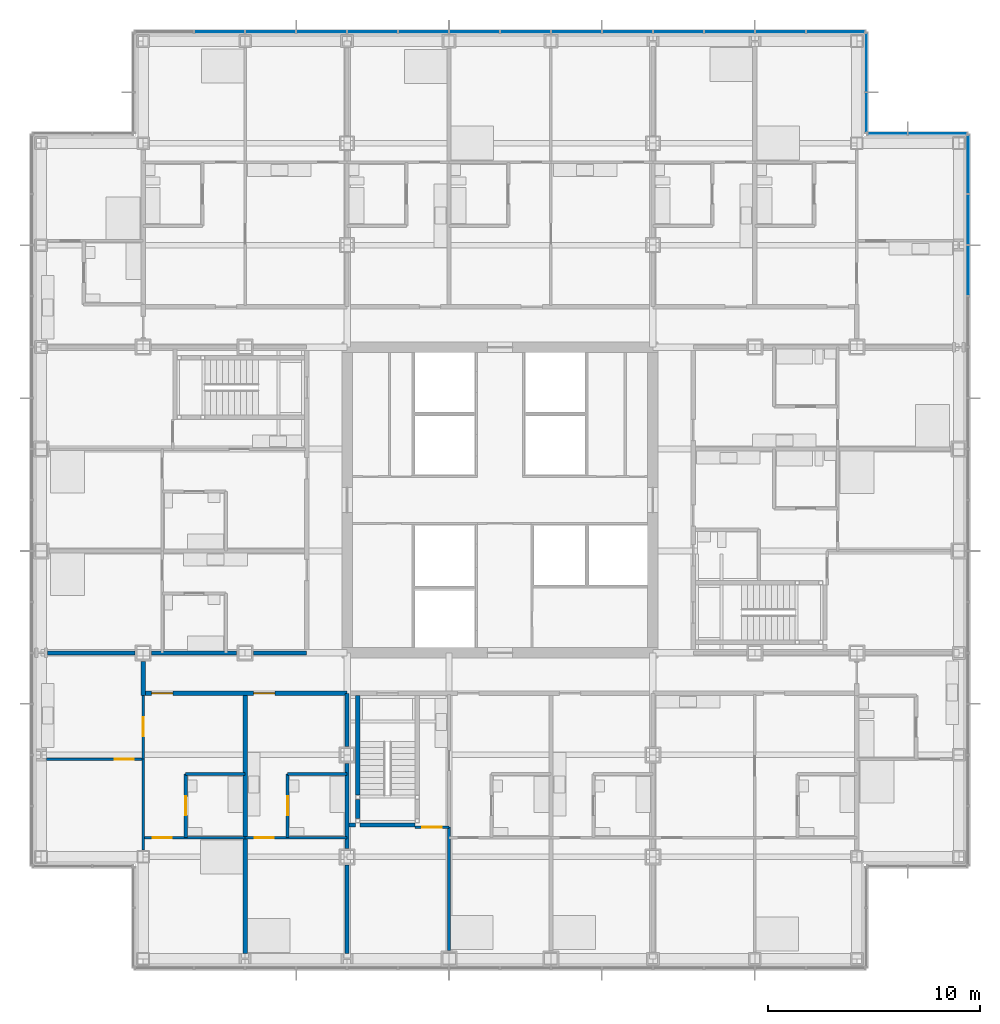
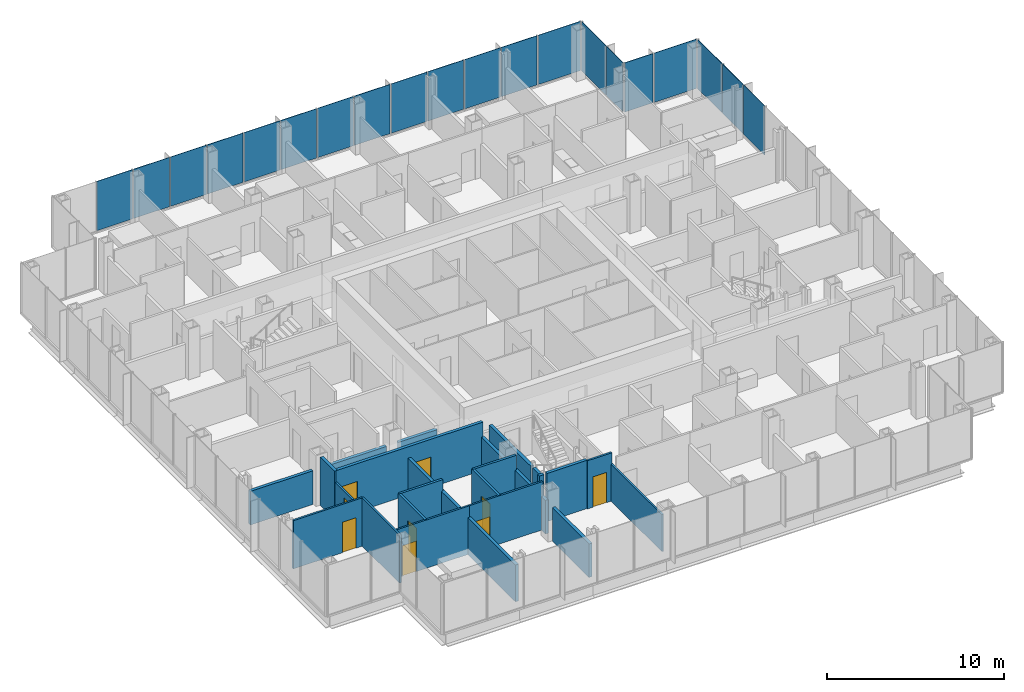
# One storey, part 13 of 21: 24 walls, 20 plates, 9 doors, 9 openings, 4 elements without a shape of their own.
"""IFC4 building model written with IfcOpenShell, lengths in metres."""

import ifcopenshell
import ifcopenshell.guid

model = None  # the IFC model being written
_history = None  # IfcOwnerHistory: only IFC2X3 demands one
_inside = {}  # id of a spatial element -> (the spatial element, [elements in it])
_under = {}  # id of a project, library or spatial element -> (it, [spatial elements below it])
_declared = {}  # id of a project -> (the project, [libraries it declares])
_typed = {}  # id of a type object -> (the type object, [elements of that type])
_made_of = {}  # id of a material, layer set ... -> (it, [elements and type objects made of it])


def new_model(schema):
    """Start an empty IFC model of exactly this schema.

    Asked for "IFC4X3", IfcOpenShell would pick the latest addendum, in which some entities
    have other attributes; the version numbers below select the first issue.
    IFC2X3 requires an IfcOwnerHistory on every rooted entity: one is made here for all.
    """
    global model, _history
    if schema == "IFC4X3":
        model = ifcopenshell.file(schema_version=(4, 3, 0, 0))
    else:
        model = ifcopenshell.file(schema=schema)
    _inside.clear()
    _under.clear()
    _declared.clear()
    _typed.clear()
    _made_of.clear()
    _history = None
    if model.schema == "IFC2X3":
        org = make("IfcOrganization", Name="unknown")
        user = make(
            "IfcPersonAndOrganization",
            ThePerson=make("IfcPerson", FamilyName="unknown"),
            TheOrganization=org,
        )
        app = make(
            "IfcApplication",
            ApplicationDeveloper=org,
            Version="unknown",
            ApplicationFullName="unknown",
            ApplicationIdentifier="unknown",
        )
        _history = make(
            "IfcOwnerHistory",
            OwningUser=user,
            OwningApplication=app,
            ChangeAction="ADDED",
            CreationDate=0,
        )
    return model


def make(cls, **values):
    """One entity of the class cls with the attributes given. An attribute that is None is left unset."""
    return model.create_entity(
        cls, **{name: value for name, value in values.items() if value is not None}
    )


def rooted(cls, **values):
    """An entity with a GlobalId (a new one), such as an element, a storey or a relation."""
    return make(cls, GlobalId=ifcopenshell.guid.new(), OwnerHistory=_history, **values)


def si_unit(unit_type, name, prefix=None):
    """IfcSIUnit, for example si_unit("LENGTHUNIT", "METRE", prefix="MILLI")."""
    return make("IfcSIUnit", UnitType=unit_type, Prefix=prefix, Name=name)


def assignment(units):
    """IfcUnitAssignment: the units of a project."""
    return None if units is None else make("IfcUnitAssignment", Units=units)


def point(xyz):
    """IfcCartesianPoint."""
    return None if xyz is None else make("IfcCartesianPoint", Coordinates=xyz)


def direction(xyz):
    """IfcDirection."""
    return None if xyz is None else make("IfcDirection", DirectionRatios=xyz)


def frame(location, z_axis=None, x_axis=None):
    """IfcAxis2Placement3D, a coordinate frame: its origin and axes. An axis left out is left unset."""
    return make(
        "IfcAxis2Placement3D",
        Location=point(location),
        Axis=direction(z_axis),
        RefDirection=direction(x_axis),
    )


def frame_2d(location, x_axis=None):
    """IfcAxis2Placement2D, a coordinate frame in the plane: its origin and x axis."""
    return make(
        "IfcAxis2Placement2D", Location=point(location), RefDirection=direction(x_axis)
    )


def origin():
    """The frame at (0, 0, 0) with its axes left unset."""
    return frame((0.0, 0.0, 0.0))


def origin_2d():
    """The frame at (0, 0) in the plane with its x axis left unset."""
    return frame_2d((0.0, 0.0))


def place(relative_to, where):
    """IfcLocalPlacement: puts the frame where relative to a parent placement (None: the world)."""
    return make(
        "IfcLocalPlacement", PlacementRelTo=relative_to, RelativePlacement=where
    )


def context(
    kind, dimensions, precision=None, world=None, true_north=None, identifier=None
):
    """IfcGeometricRepresentationContext, for example the 3D "Model" context."""
    return make(
        "IfcGeometricRepresentationContext",
        ContextIdentifier=identifier,
        ContextType=kind,
        CoordinateSpaceDimension=dimensions,
        Precision=precision,
        WorldCoordinateSystem=world,
        TrueNorth=true_north,
    )


def subcontext(parent, identifier, kind, view, scale=None):
    """IfcGeometricRepresentationSubContext, for example "Body" below "Model"."""
    return make(
        "IfcGeometricRepresentationSubContext",
        ContextIdentifier=identifier,
        ContextType=kind,
        ParentContext=parent,
        TargetScale=scale,
        TargetView=view,
    )


def project(units=None, contexts=None):
    """IfcProject with its units and contexts."""
    return rooted(
        "IfcProject",
        Name="project",
        RepresentationContexts=contexts,
        UnitsInContext=assignment(units),
    )


def spatial(cls, under=None, at=None, **own):
    """A site, building, storey or space (cls), placed at a placement, below another one or the project."""
    s = rooted(cls, ObjectPlacement=at, **own)
    if under is not None:
        _under.setdefault(under.id(), (under, []))[1].append(s)
    return s


def profile(cls, at=None, kind="AREA", **sizes):
    """A parametric profile (cls). Its sizes go by their IFC names, for example OverallWidth=200.0."""
    return make(cls, ProfileType=kind, Position=at, **sizes)


def rectangle(**sizes):
    """IfcRectangleProfileDef."""
    return profile("IfcRectangleProfileDef", **sizes)


def extrude(swept, where, along, depth):
    """IfcExtrudedAreaSolid: the profile swept, set in the frame where, extruded along a direction by depth."""
    return make(
        "IfcExtrudedAreaSolid",
        SweptArea=swept,
        Position=where,
        ExtrudedDirection=direction(along),
        Depth=depth,
    )


def shape(context_of_items, identifier, shape_type, items):
    """IfcShapeRepresentation: the items that make up one representation, for example the "Body"."""
    return make(
        "IfcShapeRepresentation",
        ContextOfItems=context_of_items,
        RepresentationIdentifier=identifier,
        RepresentationType=shape_type,
        Items=items,
    )


def material(Name=None, Category=None):
    """IfcMaterial."""
    return make("IfcMaterial", Name=Name, Category=Category)


def layer(
    of_material, thickness, ventilated=None, Name=None, Category=None, Priority=None
):
    """IfcMaterialLayer: one layer of a wall or slab, of a material (None: an air gap)."""
    return make(
        "IfcMaterialLayer",
        Material=of_material,
        LayerThickness=thickness,
        IsVentilated=ventilated,
        Name=Name,
        Category=Category,
        Priority=Priority,
    )


def layer_set(layers, Name=None):
    """IfcMaterialLayerSet."""
    return make("IfcMaterialLayerSet", MaterialLayers=layers, LayerSetName=Name)


def made_of(thing, what):
    """Note that an element or type object is made of a material, layer set ...; save() writes the relation."""
    if what is not None:
        _made_of.setdefault(what.id(), (what, []))[1].append(thing)
    return thing


def type_object(cls, material=None, **own):
    """A type object (cls), such as IfcWallType, which elements share."""
    return made_of(rooted(cls, **own), material)


def element(
    cls,
    number,
    at=None,
    inside=None,
    cuts=None,
    type_object=None,
    material=None,
    context=None,
    identifier="Body",
    shape_type=None,
    held_by="IfcProductDefinitionShape",
    body=None,
    shapes=None,
    **own,
):
    """One element of the class cls, such as IfcWall. Its Tag is "e" and its number.

    at: its placement. inside: the storey or other place that contains it. cuts: it is an
    opening in that element (IfcRelVoidsElement). A single representation is given by context,
    identifier, shape_type and body (its items); several are given by shapes. held_by: the class
    of the entity that holds the representations. save() writes the other relations.
    """
    e = rooted(cls, Tag="e%d" % number, ObjectPlacement=at, **own)
    if body is not None:
        shapes = [shape(context, identifier, shape_type, body)]
    if shapes is not None:
        e.Representation = make(held_by, Representations=shapes)
    if inside is not None:
        _inside.setdefault(inside.id(), (inside, []))[1].append(e)
    if cuts is not None:
        rooted(
            "IfcRelVoidsElement", RelatingBuildingElement=cuts, RelatedOpeningElement=e
        )
    if type_object is not None:
        _typed.setdefault(type_object.id(), (type_object, []))[1].append(e)
    return made_of(e, material)


def fill(opening, filler):
    """IfcRelFillsElement: the door or window that sits in an opening."""
    return rooted(
        "IfcRelFillsElement",
        RelatingOpeningElement=opening,
        RelatedBuildingElement=filler,
    )


def aggregate(whole, parts):
    """IfcRelAggregates: a whole, such as a stair, and the parts it consists of."""
    return rooted("IfcRelAggregates", RelatingObject=whole, RelatedObjects=parts)


def save(model, path):
    """Write the relations noted so far, then the file.

    IfcRelAggregates (storeys below a building ...), IfcRelContainedInSpatialStructure (elements
    in a storey), IfcRelDefinesByType, IfcRelAssociatesMaterial and IfcRelDeclares: one each for
    every whole, place, type object, material and project.
    """
    for whole, parts in _under.values():
        aggregate(whole, parts)
    for where, things in _inside.values():
        rooted(
            "IfcRelContainedInSpatialStructure",
            RelatedElements=things,
            RelatingStructure=where,
        )
    for kind, things in _typed.values():
        rooted("IfcRelDefinesByType", RelatedObjects=things, RelatingType=kind)
    for what, things in _made_of.values():
        rooted("IfcRelAssociatesMaterial", RelatedObjects=things, RelatingMaterial=what)
    for by, libraries in _declared.values():
        rooted("IfcRelDeclares", RelatingContext=by, RelatedDefinitions=libraries)
    model.write(path)


model = new_model("IFC4")

# Units and contexts
model_context = context("Model", 3, precision=1e-05, world=origin(), true_north=direction((0.0, 1.0)))
body_context = subcontext(model_context, "Body", "Model", "MODEL_VIEW")
ifc_project = project(units=[si_unit("LENGTHUNIT", "METRE"), si_unit("AREAUNIT", "SQUARE_METRE"), si_unit("VOLUMEUNIT", "CUBIC_METRE"), si_unit("PLANEANGLEUNIT", "RADIAN"), si_unit("MASSUNIT", "GRAM", prefix="KILO")], contexts=[model_context])

# Site, building, storey
site_placement = place(None, origin())
site = spatial("IfcSite", under=ifc_project, at=site_placement, CompositionType="ELEMENT")
building_placement = place(site_placement, origin())
building = spatial("IfcBuilding", under=site, at=building_placement, Name="Kvirike Care Tower", CompositionType="ELEMENT")
storey_placement = place(building_placement, frame((0.0, 0.0, 30.5)))
storey = spatial("IfcBuildingStorey", under=building, at=storey_placement, Name="L07", CompositionType="ELEMENT", Elevation=30.5)

# Curtain wall, plates
ifc_material_1 = material(Name="Anodised aluminium stick system", Category="aluminium")
curtain_wall_type = type_object("IfcCurtainWallType", Name="CW-A STICK CURTAIN WALL", PredefinedType="NOTDEFINED", material=ifc_material_1)
curtain_wall_1_placement = place(storey_placement, origin())
curtain_wall_1 = element("IfcCurtainWall", 1, at=curtain_wall_1_placement, inside=storey, type_object=curtain_wall_type, Name="Curtain wall L07 face 7", PredefinedType="NOTDEFINED")
ifc_material_2 = material(Name="Tinted double glazed unit", Category="glass")
ifc_layer_1 = layer(ifc_material_2, 0.031982421875)
ifc_layer_set_1 = layer_set([ifc_layer_1], Name="TINTED VISION PANEL 32")
plate_type = type_object("IfcPlateType", Name="TINTED VISION PANEL 32", PredefinedType="CURTAIN_PANEL", material=ifc_layer_set_1)
plate_1_placement = place(storey_placement, frame((43.64990234375, 46.800048828125, 0.10009765625), z_axis=(0.0, 0.0, 1.0), x_axis=(0.0, 1.0, 0.0)))
plate_1 = element("IfcPlate", 2, at=plate_1_placement, type_object=plate_type, Name="CW-A panel L07 face 7.12", PredefinedType="CURTAIN_PANEL", context=body_context, shape_type="SweptSolid", body=[
    extrude(rectangle(XDim=2.3349609375, YDim=0.031982421875, at=origin_2d()), origin(), (0.0, 0.0, 1.0), 3.39990234375),
])
plate_2_placement = place(storey_placement, frame((43.64990234375, 49.199951171875, 0.10009765625), z_axis=(0.0, 0.0, 1.0), x_axis=(0.0, 1.0, 0.0)))
plate_2 = element("IfcPlate", 3, at=plate_2_placement, type_object=plate_type, Name="CW-A panel L07 face 7.13", PredefinedType="CURTAIN_PANEL", context=body_context, shape_type="SweptSolid", body=[
    extrude(rectangle(XDim=2.3349609375, YDim=0.031982421875, at=origin_2d()), origin(), (0.0, 0.0, 1.0), 3.39990234375),
])
plate_3_placement = place(storey_placement, frame((43.64990234375, 51.808837890625, 0.10009765625), z_axis=(0.0, 0.0, 1.0), x_axis=(0.0, 1.0, 0.0)))
plate_3 = element("IfcPlate", 4, at=plate_3_placement, type_object=plate_type, Name="CW-A panel L07 face 7.14", PredefinedType="CURTAIN_PANEL", context=body_context, shape_type="SweptSolid", body=[
    extrude(rectangle(XDim=2.75244140625, YDim=0.031982421875, at=origin_2d()), origin(), (0.0, 0.0, 1.0), 3.39990234375),
])
aggregate(curtain_wall_1, [plate_1, plate_2, plate_3])

curtain_wall_2_placement = place(storey_placement, origin())
curtain_wall_2 = element("IfcCurtainWall", 5, at=curtain_wall_2_placement, inside=storey, type_object=curtain_wall_type, Name="Curtain wall L07 face 8", PredefinedType="NOTDEFINED")
plate_4_placement = place(storey_placement, frame((42.208740234375, 53.25, 0.10009765625), z_axis=(0.0, 0.0, 1.0), x_axis=(-1.0, 0.0, 0.0)))
plate_4 = element("IfcPlate", 6, at=plate_4_placement, type_object=plate_type, Name="CW-A panel L07 face 8.1", PredefinedType="CURTAIN_PANEL", context=body_context, shape_type="SweptSolid", body=[
    extrude(rectangle(XDim=2.75244140625, YDim=0.031982421875, at=origin_2d()), origin(), (0.0, 0.0, 1.0), 3.39990234375),
])
plate_5_placement = place(storey_placement, frame((39.84130859375, 53.25, 0.10009765625), z_axis=(0.0, 0.0, 1.0), x_axis=(-1.0, 0.0, 0.0)))
plate_5 = element("IfcPlate", 7, at=plate_5_placement, type_object=plate_type, Name="CW-A panel L07 face 8.2", PredefinedType="CURTAIN_PANEL", context=body_context, shape_type="SweptSolid", body=[
    extrude(rectangle(XDim=1.8525390625, YDim=0.031982421875, at=origin_2d()), origin(), (0.0, 0.0, 1.0), 3.39990234375),
])
aggregate(curtain_wall_2, [plate_4, plate_5])

curtain_wall_3_placement = place(storey_placement, origin())
curtain_wall_3 = element("IfcCurtainWall", 8, at=curtain_wall_3_placement, inside=storey, type_object=curtain_wall_type, Name="Curtain wall L07 face 9", PredefinedType="NOTDEFINED")
plate_6_placement = place(storey_placement, frame((38.85009765625, 54.2412109375, 0.10009765625), z_axis=(0.0, 0.0, 1.0), x_axis=(0.0, 1.0, 0.0)))
plate_6 = element("IfcPlate", 9, at=plate_6_placement, type_object=plate_type, Name="CW-A panel L07 face 9.1", PredefinedType="CURTAIN_PANEL", context=body_context, shape_type="SweptSolid", body=[
    extrude(rectangle(XDim=1.8525390625, YDim=0.031982421875, at=origin_2d()), origin(), (0.0, 0.0, 1.0), 3.39990234375),
])
plate_7_placement = place(storey_placement, frame((38.85009765625, 56.608642578125, 0.10009765625), z_axis=(0.0, 0.0, 1.0), x_axis=(0.0, 1.0, 0.0)))
plate_7 = element("IfcPlate", 10, at=plate_7_placement, type_object=plate_type, Name="CW-A panel L07 face 9.2", PredefinedType="CURTAIN_PANEL", context=body_context, shape_type="SweptSolid", body=[
    extrude(rectangle(XDim=2.75244140625, YDim=0.031982421875, at=origin_2d()), origin(), (0.0, 0.0, 1.0), 3.39990234375),
])
aggregate(curtain_wall_3, [plate_6, plate_7])

curtain_wall_4_placement = place(storey_placement, origin())
curtain_wall_4 = element("IfcCurtainWall", 11, at=curtain_wall_4_placement, inside=storey, type_object=curtain_wall_type, Name="Curtain wall L07 face 10", PredefinedType="NOTDEFINED")
plate_8_placement = place(storey_placement, frame((37.40869140625, 58.050048828125, 0.10009765625), z_axis=(0.0, 0.0, 1.0), x_axis=(-1.0, 0.0, 0.0)))
plate_8 = element("IfcPlate", 12, at=plate_8_placement, type_object=plate_type, Name="CW-A panel L07 face 10.1", PredefinedType="CURTAIN_PANEL", context=body_context, shape_type="SweptSolid", body=[
    extrude(rectangle(XDim=2.75244140625, YDim=0.031982421875, at=origin_2d()), origin(), (0.0, 0.0, 1.0), 3.39990234375),
])
plate_9_placement = place(storey_placement, frame((34.800048828125, 58.050048828125, 0.10009765625), z_axis=(0.0, 0.0, 1.0), x_axis=(-1.0, 0.0, 0.0)))
plate_9 = element("IfcPlate", 13, at=plate_9_placement, type_object=plate_type, Name="CW-A panel L07 face 10.2", PredefinedType="CURTAIN_PANEL", context=body_context, shape_type="SweptSolid", body=[
    extrude(rectangle(XDim=2.3349609375, YDim=0.031982421875, at=origin_2d()), origin(), (0.0, 0.0, 1.0), 3.39990234375),
])
plate_10_placement = place(storey_placement, frame((32.39990234375, 58.050048828125, 0.10009765625), z_axis=(0.0, 0.0, 1.0), x_axis=(-1.0, 0.0, 0.0)))
plate_10 = element("IfcPlate", 14, at=plate_10_placement, type_object=plate_type, Name="CW-A panel L07 face 10.3", PredefinedType="CURTAIN_PANEL", context=body_context, shape_type="SweptSolid", body=[
    extrude(rectangle(XDim=2.3349609375, YDim=0.031982421875, at=origin_2d()), origin(), (0.0, 0.0, 1.0), 3.39990234375),
])
plate_11_placement = place(storey_placement, frame((30.0, 58.050048828125, 0.10009765625), z_axis=(0.0, 0.0, 1.0), x_axis=(-1.0, 0.0, 0.0)))
plate_11 = element("IfcPlate", 15, at=plate_11_placement, type_object=plate_type, Name="CW-A panel L07 face 10.4", PredefinedType="CURTAIN_PANEL", context=body_context, shape_type="SweptSolid", body=[
    extrude(rectangle(XDim=2.3349609375, YDim=0.031982421875, at=origin_2d()), origin(), (0.0, 0.0, 1.0), 3.39990234375),
])
plate_12_placement = place(storey_placement, frame((27.60009765625, 58.050048828125, 0.10009765625), z_axis=(0.0, 0.0, 1.0), x_axis=(-1.0, 0.0, 0.0)))
plate_12 = element("IfcPlate", 16, at=plate_12_placement, type_object=plate_type, Name="CW-A panel L07 face 10.5", PredefinedType="CURTAIN_PANEL", context=body_context, shape_type="SweptSolid", body=[
    extrude(rectangle(XDim=2.3349609375, YDim=0.031982421875, at=origin_2d()), origin(), (0.0, 0.0, 1.0), 3.39990234375),
])
plate_13_placement = place(storey_placement, frame((25.199951171875, 58.050048828125, 0.10009765625), z_axis=(0.0, 0.0, 1.0), x_axis=(-1.0, 0.0, 0.0)))
plate_13 = element("IfcPlate", 17, at=plate_13_placement, type_object=plate_type, Name="CW-A panel L07 face 10.6", PredefinedType="CURTAIN_PANEL", context=body_context, shape_type="SweptSolid", body=[
    extrude(rectangle(XDim=2.3349609375, YDim=0.031982421875, at=origin_2d()), origin(), (0.0, 0.0, 1.0), 3.39990234375),
])
plate_14_placement = place(storey_placement, frame((22.800048828125, 58.050048828125, 0.10009765625), z_axis=(0.0, 0.0, 1.0), x_axis=(-1.0, 0.0, 0.0)))
plate_14 = element("IfcPlate", 18, at=plate_14_placement, type_object=plate_type, Name="CW-A panel L07 face 10.7", PredefinedType="CURTAIN_PANEL", context=body_context, shape_type="SweptSolid", body=[
    extrude(rectangle(XDim=2.3349609375, YDim=0.031982421875, at=origin_2d()), origin(), (0.0, 0.0, 1.0), 3.39990234375),
])
plate_15_placement = place(storey_placement, frame((20.39990234375, 58.050048828125, 0.10009765625), z_axis=(0.0, 0.0, 1.0), x_axis=(-1.0, 0.0, 0.0)))
plate_15 = element("IfcPlate", 19, at=plate_15_placement, type_object=plate_type, Name="CW-A panel L07 face 10.8", PredefinedType="CURTAIN_PANEL", context=body_context, shape_type="SweptSolid", body=[
    extrude(rectangle(XDim=2.3349609375, YDim=0.031982421875, at=origin_2d()), origin(), (0.0, 0.0, 1.0), 3.39990234375),
])
plate_16_placement = place(storey_placement, frame((18.0, 58.050048828125, 0.10009765625), z_axis=(0.0, 0.0, 1.0), x_axis=(-1.0, 0.0, 0.0)))
plate_16 = element("IfcPlate", 20, at=plate_16_placement, type_object=plate_type, Name="CW-A panel L07 face 10.9", PredefinedType="CURTAIN_PANEL", context=body_context, shape_type="SweptSolid", body=[
    extrude(rectangle(XDim=2.3349609375, YDim=0.031982421875, at=origin_2d()), origin(), (0.0, 0.0, 1.0), 3.39990234375),
])
plate_17_placement = place(storey_placement, frame((15.60009765625, 58.050048828125, 0.10009765625), z_axis=(0.0, 0.0, 1.0), x_axis=(-1.0, 0.0, 0.0)))
plate_17 = element("IfcPlate", 21, at=plate_17_placement, type_object=plate_type, Name="CW-A panel L07 face 10.10", PredefinedType="CURTAIN_PANEL", context=body_context, shape_type="SweptSolid", body=[
    extrude(rectangle(XDim=2.3349609375, YDim=0.031982421875, at=origin_2d()), origin(), (0.0, 0.0, 1.0), 3.39990234375),
])
plate_18_placement = place(storey_placement, frame((13.199951171875, 58.050048828125, 0.10009765625), z_axis=(0.0, 0.0, 1.0), x_axis=(-1.0, 0.0, 0.0)))
plate_18 = element("IfcPlate", 22, at=plate_18_placement, type_object=plate_type, Name="CW-A panel L07 face 10.11", PredefinedType="CURTAIN_PANEL", context=body_context, shape_type="SweptSolid", body=[
    extrude(rectangle(XDim=2.3349609375, YDim=0.031982421875, at=origin_2d()), origin(), (0.0, 0.0, 1.0), 3.39990234375),
])
plate_19_placement = place(storey_placement, frame((10.800048828125, 58.050048828125, 0.10009765625), z_axis=(0.0, 0.0, 1.0), x_axis=(-1.0, 0.0, 0.0)))
plate_19 = element("IfcPlate", 23, at=plate_19_placement, type_object=plate_type, Name="CW-A panel L07 face 10.12", PredefinedType="CURTAIN_PANEL", context=body_context, shape_type="SweptSolid", body=[
    extrude(rectangle(XDim=2.3349609375, YDim=0.031982421875, at=origin_2d()), origin(), (0.0, 0.0, 1.0), 3.39990234375),
])
plate_20_placement = place(storey_placement, frame((8.39990234375, 58.050048828125, 0.10009765625), z_axis=(0.0, 0.0, 1.0), x_axis=(-1.0, 0.0, 0.0)))
plate_20 = element("IfcPlate", 24, at=plate_20_placement, type_object=plate_type, Name="CW-A panel L07 face 10.13", PredefinedType="CURTAIN_PANEL", context=body_context, shape_type="SweptSolid", body=[
    extrude(rectangle(XDim=2.3349609375, YDim=0.031982421875, at=origin_2d()), origin(), (0.0, 0.0, 1.0), 3.39990234375),
])
aggregate(curtain_wall_4, [plate_8, plate_9, plate_10, plate_11, plate_12, plate_13, plate_14, plate_15, plate_16, plate_17, plate_18, plate_19, plate_20])

# Wall, opening, door
ifc_material_3 = material(Name="Moisture-resistant board partition", Category="gypsum")
ifc_layer_2 = layer(ifc_material_3, 0.14990234375)
ifc_layer_set_2 = layer_set([ifc_layer_2], Name="BATHROOM WALL 150")
wall_type_1 = type_object("IfcWallType", Name="BATHROOM WALL 150", PredefinedType="PARTITIONING", material=ifc_layer_set_2)
wall_1_placement = place(storey_placement, frame((6.800048828125, 20.10009765625, 0.0), z_axis=(0.0, 0.0, 1.0), x_axis=(0.0, 1.0, 0.0)))
wall_1 = element("IfcWall", 25, at=wall_1_placement, inside=storey, type_object=wall_type_1, Name="Bathroom Wall 150 L07", PredefinedType="PARTITIONING", context=body_context, shape_type="SweptSolid", body=[
    extrude(rectangle(XDim=3.0, YDim=0.14990234375, at=frame_2d((1.5, 0.0))), origin(), (0.0, 0.0, 1.0), 3.330078125),
])
opening_1_placement = place(wall_1_placement, frame((1.050048828125, 0.0, 0.0)))
opening_1 = element("IfcOpeningElement", 26, at=opening_1_placement, cuts=wall_1, Name="Opening 07-001", PredefinedType="OPENING", context=body_context, shape_type="SweptSolid", body=[
    extrude(rectangle(XDim=0.89990234375, YDim=2.10009765625, at=frame_2d((0.449951171875, 1.050048828125))), frame((0.0, 0.08544921875, 0.0), z_axis=(0.0, -1.0, 0.0), x_axis=(1.0, 0.0, 0.0)), (0.0, 0.0, 1.0), 0.1708984375),
])
ifc_material_4 = material(Name="Timber door set", Category="wood")
door_type_1 = type_object("IfcDoorType", Name="BATHROOM DOOR 900", OperationType="SINGLE_SWING_RIGHT", PredefinedType="DOOR", material=ifc_material_4)
door_1_placement = place(opening_1_placement, frame((0.89990234375, 0.0, 0.0), z_axis=(0.0, 0.0, 1.0), x_axis=(-1.0, 0.0, 0.0)))
door_1 = element("IfcDoor", 27, at=door_1_placement, inside=storey, type_object=door_type_1, Name="Bathroom door", OperationType="SINGLE_SWING_LEFT", OverallHeight=2.10009765625, OverallWidth=0.89990234375, PredefinedType="DOOR", context=body_context, shape_type="SweptSolid", body=[
    extrude(rectangle(XDim=0.89990234375, YDim=2.10009765625, at=frame_2d((0.449951171875, 1.050048828125))), frame((0.0, 0.02197265625, 0.0), z_axis=(0.0, -1.0, 0.0), x_axis=(1.0, 0.0, 0.0)), (0.0, 0.0, 1.0), 0.0439453125),
])
fill(opening_1, door_1)

# Wall
wall_2_placement = place(storey_placement, frame((6.800048828125, 23.10009765625, 0.0), z_axis=(0.0, 0.0, 1.0), x_axis=(1.0, 0.0, 0.0)))
element("IfcWall", 28, at=wall_2_placement, inside=storey, type_object=wall_type_1, Name="Bathroom Wall 150 L07", PredefinedType="PARTITIONING", context=body_context, shape_type="SweptSolid", body=[
    extrude(rectangle(XDim=2.800048828125, YDim=0.14990234375, at=frame_2d((1.39990234375, 0.0))), origin(), (0.0, 0.0, 1.0), 3.330078125),
])

# Wall, opening, door
wall_3_placement = place(storey_placement, frame((11.60009765625, 20.10009765625, 0.0), z_axis=(0.0, 0.0, 1.0), x_axis=(0.0, 1.0, 0.0)))
wall_3 = element("IfcWall", 29, at=wall_3_placement, inside=storey, type_object=wall_type_1, Name="Bathroom Wall 150 L07", PredefinedType="PARTITIONING", context=body_context, shape_type="SweptSolid", body=[
    extrude(rectangle(XDim=3.0, YDim=0.14990234375, at=frame_2d((1.5, 0.0))), origin(), (0.0, 0.0, 1.0), 3.330078125),
])
opening_2_placement = place(wall_3_placement, frame((1.050048828125, 0.0, 0.0)))
opening_2 = element("IfcOpeningElement", 30, at=opening_2_placement, cuts=wall_3, Name="Opening 07-005", PredefinedType="OPENING", context=body_context, shape_type="SweptSolid", body=[
    extrude(rectangle(XDim=0.89990234375, YDim=2.10009765625, at=frame_2d((0.449951171875, 1.050048828125))), frame((0.0, 0.08544921875, 0.0), z_axis=(0.0, -1.0, 0.0), x_axis=(1.0, 0.0, 0.0)), (0.0, 0.0, 1.0), 0.1708984375),
])
door_2_placement = place(opening_2_placement, frame((0.89990234375, 0.0, 0.0), z_axis=(0.0, 0.0, 1.0), x_axis=(-1.0, 0.0, 0.0)))
door_2 = element("IfcDoor", 31, at=door_2_placement, inside=storey, type_object=door_type_1, Name="Bathroom door", OperationType="SINGLE_SWING_LEFT", OverallHeight=2.10009765625, OverallWidth=0.89990234375, PredefinedType="DOOR", context=body_context, shape_type="SweptSolid", body=[
    extrude(rectangle(XDim=0.89990234375, YDim=2.10009765625, at=frame_2d((0.449951171875, 1.050048828125))), frame((0.0, 0.02197265625, 0.0), z_axis=(0.0, -1.0, 0.0), x_axis=(1.0, 0.0, 0.0)), (0.0, 0.0, 1.0), 0.0439453125),
])
fill(opening_2, door_2)

# Wall
wall_4_placement = place(storey_placement, frame((11.60009765625, 23.10009765625, 0.0), z_axis=(0.0, 0.0, 1.0), x_axis=(1.0, 0.0, 0.0)))
element("IfcWall", 32, at=wall_4_placement, inside=storey, type_object=wall_type_1, Name="Bathroom Wall 150 L07", PredefinedType="PARTITIONING", context=body_context, shape_type="SweptSolid", body=[
    extrude(rectangle(XDim=2.7998046875, YDim=0.14990234375, at=frame_2d((1.39990234375, 0.0))), origin(), (0.0, 0.0, 1.0), 3.330078125),
])

# Wall, openings, doors
ifc_material_5 = material(Name="Plasterboard corridor wall", Category="gypsum")
ifc_layer_3 = layer(ifc_material_5, 0.199951171875)
ifc_layer_set_3 = layer_set([ifc_layer_3], Name="CORRIDOR WALL 200")
wall_type_2 = type_object("IfcWallType", Name="CORRIDOR WALL 200", PredefinedType="PARTITIONING", material=ifc_layer_set_3)
wall_5_placement = place(storey_placement, frame((4.800048828125, 26.89990234375, 0.0), z_axis=(0.0, 0.0, 1.0), x_axis=(1.0, 0.0, 0.0)))
wall_5 = element("IfcWall", 33, at=wall_5_placement, inside=storey, type_object=wall_type_2, Name="Corridor Wall 200 L07", PredefinedType="PARTITIONING", context=body_context, shape_type="SweptSolid", body=[
    extrude(rectangle(XDim=9.599853515625, YDim=0.199951171875, at=frame_2d((4.7998046875, 0.0))), origin(), (0.0, 0.0, 1.0), 3.330078125),
])
opening_3_placement = place(wall_5_placement, frame((0.39990234375, 0.0, 0.0)))
opening_3 = element("IfcOpeningElement", 34, at=opening_3_placement, cuts=wall_5, Name="Opening 07-007", PredefinedType="OPENING", context=body_context, shape_type="SweptSolid", body=[
    extrude(rectangle(XDim=1.0, YDim=2.10009765625, at=frame_2d((0.5, 1.050048828125))), frame((0.0, 0.110595703125, 0.0), z_axis=(0.0, -1.0, 0.0), x_axis=(1.0, 0.0, 0.0)), (0.0, 0.0, 1.0), 0.220947265625),
])
opening_4_placement = place(wall_5_placement, frame((5.199951171875, 0.0, 0.0)))
opening_4 = element("IfcOpeningElement", 35, at=opening_4_placement, cuts=wall_5, Name="Opening 07-008", PredefinedType="OPENING", context=body_context, shape_type="SweptSolid", body=[
    extrude(rectangle(XDim=1.0, YDim=2.10009765625, at=frame_2d((0.5, 1.050048828125))), frame((0.0, 0.110595703125, 0.0), z_axis=(0.0, -1.0, 0.0), x_axis=(1.0, 0.0, 0.0)), (0.0, 0.0, 1.0), 0.220947265625),
])
ifc_material_6 = material(Name="Timber door set", Category="wood")
door_type_2 = type_object("IfcDoorType", Name="FLAT ENTRANCE DOOR 1000", OperationType="SINGLE_SWING_LEFT", PredefinedType="DOOR", material=ifc_material_6)
door_3_placement = place(opening_3_placement, frame((1.0, 0.0, 0.0), z_axis=(0.0, 0.0, 1.0), x_axis=(-1.0, 0.0, 0.0)))
door_3 = element("IfcDoor", 36, at=door_3_placement, inside=storey, type_object=door_type_2, Name="One-bedroom apartment entrance", OperationType="SINGLE_SWING_LEFT", OverallHeight=2.10009765625, OverallWidth=1.0, PredefinedType="DOOR", context=body_context, shape_type="SweptSolid", body=[
    extrude(rectangle(XDim=1.0, YDim=2.10009765625, at=frame_2d((0.5, 1.050048828125))), frame((0.0, 0.02685546875, 0.0), z_axis=(0.0, -1.0, 0.0), x_axis=(1.0, 0.0, 0.0)), (0.0, 0.0, 1.0), 0.053955078125),
])
fill(opening_3, door_3)
door_4_placement = place(opening_4_placement, frame((1.0, 0.0, 0.0), z_axis=(0.0, 0.0, 1.0), x_axis=(-1.0, 0.0, 0.0)))
door_4 = element("IfcDoor", 37, at=door_4_placement, inside=storey, type_object=door_type_2, Name="Studio apartment entrance", OperationType="SINGLE_SWING_LEFT", OverallHeight=2.10009765625, OverallWidth=1.0, PredefinedType="DOOR", context=body_context, shape_type="SweptSolid", body=[
    extrude(rectangle(XDim=1.0, YDim=2.10009765625, at=frame_2d((0.5, 1.050048828125))), frame((0.0, 0.02685546875, 0.0), z_axis=(0.0, -1.0, 0.0), x_axis=(1.0, 0.0, 0.0)), (0.0, 0.0, 1.0), 0.053955078125),
])
fill(opening_4, door_4)

# Wall
wall_6_placement = place(storey_placement, frame((4.800048828125, 26.800048828125, 0.0), z_axis=(0.0, 0.0, 1.0), x_axis=(0.0, 1.0, 0.0)))
element("IfcWall", 38, at=wall_6_placement, inside=storey, type_object=wall_type_2, Name="Corridor Wall 200 L07", PredefinedType="PARTITIONING", context=body_context, shape_type="SweptSolid", body=[
    extrude(rectangle(XDim=1.60498046875, YDim=0.199951171875, at=frame_2d((0.802490234375, 0.0))), origin(), (0.0, 0.0, 1.0), 3.330078125),
])

# Wall, opening, door
ifc_material_7 = material(Name="Plasterboard partition", Category="gypsum")
ifc_layer_4 = layer(ifc_material_7, 0.1201171875)
ifc_layer_set_4 = layer_set([ifc_layer_4], Name="PARTITION 120")
wall_type_3 = type_object("IfcWallType", Name="PARTITION 120", PredefinedType="PARTITIONING", material=ifc_layer_set_4)
wall_7_placement = place(storey_placement, frame((4.800048828125, 23.800048828125, 0.0), z_axis=(0.0, 0.0, 1.0), x_axis=(0.0, 1.0, 0.0)))
wall_7 = element("IfcWall", 39, at=wall_7_placement, inside=storey, type_object=wall_type_3, Name="Partition 120 L07", PredefinedType="PARTITIONING", context=body_context, shape_type="SweptSolid", body=[
    extrude(rectangle(XDim=3.0, YDim=0.1201171875, at=frame_2d((1.5, 0.0))), origin(), (0.0, 0.0, 1.0), 2.550048828125),
])
opening_5_placement = place(wall_7_placement, frame((1.074951171875, 0.0, 0.0)))
opening_5 = element("IfcOpeningElement", 40, at=opening_5_placement, cuts=wall_7, Name="Opening 07-002", PredefinedType="OPENING", context=body_context, shape_type="SweptSolid", body=[
    extrude(rectangle(XDim=0.89990234375, YDim=2.10009765625, at=frame_2d((0.449951171875, 1.050048828125))), frame((0.0, 0.070556640625, 0.0), z_axis=(0.0, -1.0, 0.0), x_axis=(1.0, 0.0, 0.0)), (0.0, 0.0, 1.0), 0.14111328125),
])
ifc_material_8 = material(Name="Timber door set", Category="wood")
door_type_3 = type_object("IfcDoorType", Name="INTERNAL DOOR 900", OperationType="SINGLE_SWING_LEFT", PredefinedType="DOOR", material=ifc_material_8)
door_5_placement = place(opening_5_placement, frame((0.89990234375, 0.0, 0.0), z_axis=(0.0, 0.0, 1.0), x_axis=(-1.0, 0.0, 0.0)))
door_5 = element("IfcDoor", 41, at=door_5_placement, inside=storey, type_object=door_type_3, Name="Hall door", OperationType="SINGLE_SWING_RIGHT", OverallHeight=2.10009765625, OverallWidth=0.89990234375, PredefinedType="DOOR", context=body_context, shape_type="SweptSolid", body=[
    extrude(rectangle(XDim=0.89990234375, YDim=2.10009765625, at=frame_2d((0.449951171875, 1.050048828125))), frame((0.0, 0.02197265625, 0.0), z_axis=(0.0, -1.0, 0.0), x_axis=(1.0, 0.0, 0.0)), (0.0, 0.0, 1.0), 0.0439453125),
])
fill(opening_5, door_5)

wall_8_placement = place(storey_placement, frame((0.2470703125, 23.800048828125, 0.0), z_axis=(0.0, 0.0, 1.0), x_axis=(1.0, 0.0, 0.0)))
wall_8 = element("IfcWall", 42, at=wall_8_placement, inside=storey, type_object=wall_type_3, Name="Partition 120 L07", PredefinedType="PARTITIONING", context=body_context, shape_type="SweptSolid", body=[
    extrude(rectangle(XDim=4.552978515625, YDim=0.1201171875, at=frame_2d((2.2763671875, 0.0))), origin(), (0.0, 0.0, 1.0), 3.330078125),
])
opening_6_placement = place(wall_8_placement, frame((3.202880859375, 0.0, 0.0)))
opening_6 = element("IfcOpeningElement", 43, at=opening_6_placement, cuts=wall_8, Name="Opening 07-003", PredefinedType="OPENING", context=body_context, shape_type="SweptSolid", body=[
    extrude(rectangle(XDim=0.89990234375, YDim=2.10009765625, at=frame_2d((0.449951171875, 1.050048828125))), frame((0.0, 0.070556640625, 0.0), z_axis=(0.0, -1.0, 0.0), x_axis=(1.0, 0.0, 0.0)), (0.0, 0.0, 1.0), 0.14111328125),
])
door_6_placement = place(opening_6_placement, frame((0.89990234375, 0.0, 0.0), z_axis=(0.0, 0.0, 1.0), x_axis=(-1.0, 0.0, 0.0)))
door_6 = element("IfcDoor", 44, at=door_6_placement, inside=storey, type_object=door_type_3, Name="Apartment living room door", OperationType="SINGLE_SWING_RIGHT", OverallHeight=2.10009765625, OverallWidth=0.89990234375, PredefinedType="DOOR", context=body_context, shape_type="SweptSolid", body=[
    extrude(rectangle(XDim=0.89990234375, YDim=2.10009765625, at=frame_2d((0.449951171875, 1.050048828125))), frame((0.0, 0.02197265625, 0.0), z_axis=(0.0, -1.0, 0.0), x_axis=(1.0, 0.0, 0.0)), (0.0, 0.0, 1.0), 0.0439453125),
])
fill(opening_6, door_6)

wall_9_placement = place(storey_placement, frame((4.800048828125, 20.10009765625, 0.0), z_axis=(0.0, 0.0, 1.0), x_axis=(1.0, 0.0, 0.0)))
wall_9 = element("IfcWall", 45, at=wall_9_placement, inside=storey, type_object=wall_type_3, Name="Partition 120 L07", PredefinedType="PARTITIONING", context=body_context, shape_type="SweptSolid", body=[
    extrude(rectangle(XDim=4.800048828125, YDim=0.1201171875, at=frame_2d((2.39990234375, 0.0))), origin(), (0.0, 0.0, 1.0), 3.330078125),
])
opening_7_placement = place(wall_9_placement, frame((0.449951171875, 0.0, 0.0)))
opening_7 = element("IfcOpeningElement", 46, at=opening_7_placement, cuts=wall_9, Name="Opening 07-004", PredefinedType="OPENING", context=body_context, shape_type="SweptSolid", body=[
    extrude(rectangle(XDim=0.89990234375, YDim=2.10009765625, at=frame_2d((0.449951171875, 1.050048828125))), frame((0.0, 0.070556640625, 0.0), z_axis=(0.0, -1.0, 0.0), x_axis=(1.0, 0.0, 0.0)), (0.0, 0.0, 1.0), 0.14111328125),
])
door_7_placement = place(opening_7_placement, origin())
door_7 = element("IfcDoor", 47, at=door_7_placement, inside=storey, type_object=door_type_3, Name="Apartment bedroom door", OperationType="SINGLE_SWING_RIGHT", OverallHeight=2.10009765625, OverallWidth=0.89990234375, PredefinedType="DOOR", context=body_context, shape_type="SweptSolid", body=[
    extrude(rectangle(XDim=0.89990234375, YDim=2.10009765625, at=frame_2d((0.449951171875, 1.050048828125))), frame((0.0, 0.02197265625, 0.0), z_axis=(0.0, -1.0, 0.0), x_axis=(1.0, 0.0, 0.0)), (0.0, 0.0, 1.0), 0.0439453125),
])
fill(opening_7, door_7)

# Wall
wall_10_placement = place(storey_placement, frame((4.800048828125, 19.52001953125, 0.0), z_axis=(0.0, 0.0, 1.0), x_axis=(0.0, 1.0, 0.0)))
element("IfcWall", 48, at=wall_10_placement, inside=storey, type_object=wall_type_3, Name="Partition 120 L07", PredefinedType="PARTITIONING", context=body_context, shape_type="SweptSolid", body=[
    extrude(rectangle(XDim=4.280029296875, YDim=0.1201171875, at=frame_2d((2.14013671875, 0.0))), origin(), (0.0, 0.0, 1.0), 3.330078125),
])

# Wall, opening, door
wall_11_placement = place(storey_placement, frame((9.60009765625, 20.10009765625, 0.0), z_axis=(0.0, 0.0, 1.0), x_axis=(1.0, 0.0, 0.0)))
wall_11 = element("IfcWall", 49, at=wall_11_placement, inside=storey, type_object=wall_type_3, Name="Partition 120 L07", PredefinedType="PARTITIONING", context=body_context, shape_type="SweptSolid", body=[
    extrude(rectangle(XDim=4.7998046875, YDim=0.1201171875, at=frame_2d((2.39990234375, 0.0))), origin(), (0.0, 0.0, 1.0), 3.330078125),
])
opening_8_placement = place(wall_11_placement, frame((0.449951171875, 0.0, 0.0)))
opening_8 = element("IfcOpeningElement", 50, at=opening_8_placement, cuts=wall_11, Name="Opening 07-006", PredefinedType="OPENING", context=body_context, shape_type="SweptSolid", body=[
    extrude(rectangle(XDim=0.89990234375, YDim=2.10009765625, at=frame_2d((0.449951171875, 1.050048828125))), frame((0.0, 0.070556640625, 0.0), z_axis=(0.0, -1.0, 0.0), x_axis=(1.0, 0.0, 0.0)), (0.0, 0.0, 1.0), 0.14111328125),
])
door_8_placement = place(opening_8_placement, origin())
door_8 = element("IfcDoor", 51, at=door_8_placement, inside=storey, type_object=door_type_3, Name="Studio apartment living room door", OperationType="SINGLE_SWING_RIGHT", OverallHeight=2.10009765625, OverallWidth=0.89990234375, PredefinedType="DOOR", context=body_context, shape_type="SweptSolid", body=[
    extrude(rectangle(XDim=0.89990234375, YDim=2.10009765625, at=frame_2d((0.449951171875, 1.050048828125))), frame((0.0, 0.02197265625, 0.0), z_axis=(0.0, -1.0, 0.0), x_axis=(1.0, 0.0, 0.0)), (0.0, 0.0, 1.0), 0.0439453125),
])
fill(opening_8, door_8)

wall_12_placement = place(storey_placement, frame((17.60009765625, 20.60009765625, 0.0), z_axis=(0.0, 0.0, 1.0), x_axis=(1.0, 0.0, 0.0)))
wall_12 = element("IfcWall", 52, at=wall_12_placement, inside=storey, type_object=wall_type_3, Name="Partition 120 L07", PredefinedType="PARTITIONING", context=body_context, shape_type="SweptSolid", body=[
    extrude(rectangle(XDim=1.599853515625, YDim=0.1201171875, at=frame_2d((0.7998046875, 0.0))), origin(), (0.0, 0.0, 1.0), 3.330078125),
])
opening_9_placement = place(wall_12_placement, frame((0.35009765625, 0.0, 0.0)))
opening_9 = element("IfcOpeningElement", 53, at=opening_9_placement, cuts=wall_12, Name="Opening 07-028", PredefinedType="OPENING", context=body_context, shape_type="SweptSolid", body=[
    extrude(rectangle(XDim=0.89990234375, YDim=2.10009765625, at=frame_2d((0.449951171875, 1.050048828125))), frame((0.0, 0.070556640625, 0.0), z_axis=(0.0, -1.0, 0.0), x_axis=(1.0, 0.0, 0.0)), (0.0, 0.0, 1.0), 0.14111328125),
])
door_9_placement = place(opening_9_placement, origin())
door_9 = element("IfcDoor", 54, at=door_9_placement, inside=storey, type_object=door_type_3, Name="Apartment living room door", OperationType="SINGLE_SWING_RIGHT", OverallHeight=2.10009765625, OverallWidth=0.89990234375, PredefinedType="DOOR", context=body_context, shape_type="SweptSolid", body=[
    extrude(rectangle(XDim=0.89990234375, YDim=2.10009765625, at=frame_2d((0.449951171875, 1.050048828125))), frame((0.0, 0.02197265625, 0.0), z_axis=(0.0, -1.0, 0.0), x_axis=(1.0, 0.0, 0.0)), (0.0, 0.0, 1.0), 0.0439453125),
])
fill(opening_9, door_9)

# Walls
wall_13_placement = place(storey_placement, frame((19.199951171875, 14.794921875, 0.0), z_axis=(0.0, 0.0, 1.0), x_axis=(0.0, 1.0, 0.0)))
element("IfcWall", 55, at=wall_13_placement, inside=storey, type_object=wall_type_3, Name="Partition 120 L07", PredefinedType="PARTITIONING", context=body_context, shape_type="SweptSolid", body=[
    extrude(rectangle(XDim=5.80517578125, YDim=0.1201171875, at=frame_2d((2.902587890625, 0.0))), origin(), (0.0, 0.0, 1.0), 2.550048828125),
])
ifc_material_9 = material(Name="Plasterboard party wall", Category="gypsum")
ifc_layer_5 = layer(ifc_material_9, 0.199951171875)
ifc_layer_set_5 = layer_set([ifc_layer_5], Name="PARTY WALL 200")
wall_type_4 = type_object("IfcWallType", Name="PARTY WALL 200", PredefinedType="PARTITIONING", material=ifc_layer_set_5)
wall_14_placement = place(storey_placement, frame((9.60009765625, 14.64697265625, 0.0), z_axis=(0.0, 0.0, 1.0), x_axis=(0.0, 1.0, 0.0)))
element("IfcWall", 56, at=wall_14_placement, inside=storey, type_object=wall_type_4, Name="Party Wall 200 L07", PredefinedType="PARTITIONING", context=body_context, shape_type="SweptSolid", body=[
    extrude(rectangle(XDim=12.153076171875, YDim=0.199951171875, at=frame_2d((6.07666015625, 0.0))), origin(), (0.0, 0.0, 1.0), 2.550048828125),
])
wall_15_placement = place(storey_placement, frame((12.5, 28.800048828125, 0.0), z_axis=(0.0, 0.0, 1.0), x_axis=(-1.0, 0.0, 0.0)))
element("IfcWall", 57, at=wall_15_placement, inside=storey, type_object=wall_type_4, Name="Party Wall 200 L07", PredefinedType="PARTITIONING", context=body_context, shape_type="SweptSolid", body=[
    extrude(rectangle(XDim=2.5048828125, YDim=0.199951171875, at=frame_2d((1.25244140625, 0.0))), origin(), (0.0, 0.0, 1.0), 2.320068359375),
])
wall_16_placement = place(storey_placement, frame((9.205078125, 28.800048828125, 0.0), z_axis=(0.0, 0.0, 1.0), x_axis=(-1.0, 0.0, 0.0)))
element("IfcWall", 58, at=wall_16_placement, inside=storey, type_object=wall_type_4, Name="Party Wall 200 L07", PredefinedType="PARTITIONING", context=body_context, shape_type="SweptSolid", body=[
    extrude(rectangle(XDim=4.010009765625, YDim=0.199951171875, at=frame_2d((2.0048828125, 0.0))), origin(), (0.0, 0.0, 1.0), 2.320068359375),
])
wall_17_placement = place(storey_placement, frame((4.405029296875, 28.800048828125, 0.0), z_axis=(0.0, 0.0, 1.0), x_axis=(-1.0, 0.0, 0.0)))
element("IfcWall", 59, at=wall_17_placement, inside=storey, type_object=wall_type_4, Name="Party Wall 200 L07", PredefinedType="PARTITIONING", context=body_context, shape_type="SweptSolid", body=[
    extrude(rectangle(XDim=4.1005859375, YDim=0.199951171875, at=frame_2d((2.05029296875, 0.0))), origin(), (0.0, 0.0, 1.0), 2.320068359375),
])
wall_18_placement = place(storey_placement, frame((14.39990234375, 14.64697265625, 0.0), z_axis=(0.0, 0.0, 1.0), x_axis=(0.0, 1.0, 0.0)))
element("IfcWall", 60, at=wall_18_placement, inside=storey, type_object=wall_type_4, Name="Party Wall 200 L07", PredefinedType="PARTITIONING", context=body_context, shape_type="SweptSolid", body=[
    extrude(rectangle(XDim=4.157958984375, YDim=0.199951171875, at=frame_2d((2.0791015625, 0.0))), origin(), (0.0, 0.0, 1.0), 2.320068359375),
])
wall_19_placement = place(storey_placement, frame((14.39990234375, 19.594970703125, 0.0), z_axis=(0.0, 0.0, 1.0), x_axis=(0.0, 1.0, 0.0)))
element("IfcWall", 61, at=wall_19_placement, inside=storey, type_object=wall_type_4, Name="Party Wall 200 L07", PredefinedType="PARTITIONING", context=body_context, shape_type="SweptSolid", body=[
    extrude(rectangle(XDim=4.010009765625, YDim=0.199951171875, at=frame_2d((2.0048828125, 0.0))), origin(), (0.0, 0.0, 1.0), 2.320068359375),
])
wall_20_placement = place(storey_placement, frame((14.39990234375, 24.39501953125, 0.0), z_axis=(0.0, 0.0, 1.0), x_axis=(0.0, 1.0, 0.0)))
element("IfcWall", 62, at=wall_20_placement, inside=storey, type_object=wall_type_4, Name="Party Wall 200 L07", PredefinedType="PARTITIONING", context=body_context, shape_type="SweptSolid", body=[
    extrude(rectangle(XDim=2.5048828125, YDim=0.199951171875, at=frame_2d((1.25244140625, 0.0))), origin(), (0.0, 0.0, 1.0), 2.320068359375),
])
ifc_material_10 = material(Name="Concrete C40/50", Category="concrete")
ifc_layer_6 = layer(ifc_material_10, 0.199951171875)
ifc_layer_set_6 = layer_set([ifc_layer_6], Name="STAIR WALL 200")
wall_type_5 = type_object("IfcWallType", Name="STAIR WALL 200", PredefinedType="SOLIDWALL", material=ifc_layer_set_6)
wall_21_placement = place(storey_placement, frame((14.89990234375, 21.0, 0.0), z_axis=(0.0, 0.0, 1.0), x_axis=(0.0, 1.0, 0.0)))
element("IfcWall", 63, at=wall_21_placement, inside=storey, type_object=wall_type_5, Name="Stair Wall 200 L07", PredefinedType="SOLIDWALL", context=body_context, shape_type="SweptSolid", body=[
    extrude(rectangle(XDim=0.89990234375, YDim=0.199951171875, at=frame_2d((0.449951171875, 0.0))), origin(), (0.0, 0.0, 1.0), 2.989990234375),
])
wall_22_placement = place(storey_placement, frame((14.89990234375, 22.10009765625, 0.0), z_axis=(0.0, 0.0, 1.0), x_axis=(0.0, 1.0, 0.0)))
element("IfcWall", 64, at=wall_22_placement, inside=storey, type_object=wall_type_5, Name="Stair Wall 200 L07", PredefinedType="SOLIDWALL", context=body_context, shape_type="SweptSolid", body=[
    extrude(rectangle(XDim=4.699951171875, YDim=0.199951171875, at=frame_2d((2.35009765625, 0.0))), origin(), (0.0, 0.0, 1.0), 2.989990234375),
])
wall_23_placement = place(storey_placement, frame((14.5, 20.699951171875, 0.0), z_axis=(0.0, 0.0, 1.0), x_axis=(1.0, 0.0, 0.0)))
element("IfcWall", 65, at=wall_23_placement, inside=storey, type_object=wall_type_5, Name="Stair Wall 200 L07", PredefinedType="SOLIDWALL", context=body_context, shape_type="SweptSolid", body=[
    extrude(rectangle(XDim=0.300048828125, YDim=0.199951171875, at=frame_2d((0.14990234375, 0.0))), origin(), (0.0, 0.0, 1.0), 3.330078125),
])
wall_24_placement = place(storey_placement, frame((15.0, 20.699951171875, 0.0), z_axis=(0.0, 0.0, 1.0), x_axis=(1.0, 0.0, 0.0)))
element("IfcWall", 66, at=wall_24_placement, inside=storey, type_object=wall_type_5, Name="Stair Wall 200 L07", PredefinedType="SOLIDWALL", context=body_context, shape_type="SweptSolid", body=[
    extrude(rectangle(XDim=2.60009765625, YDim=0.199951171875, at=frame_2d((1.300048828125, 0.0))), origin(), (0.0, 0.0, 1.0), 3.330078125),
])

save(model, "model.ifc")
